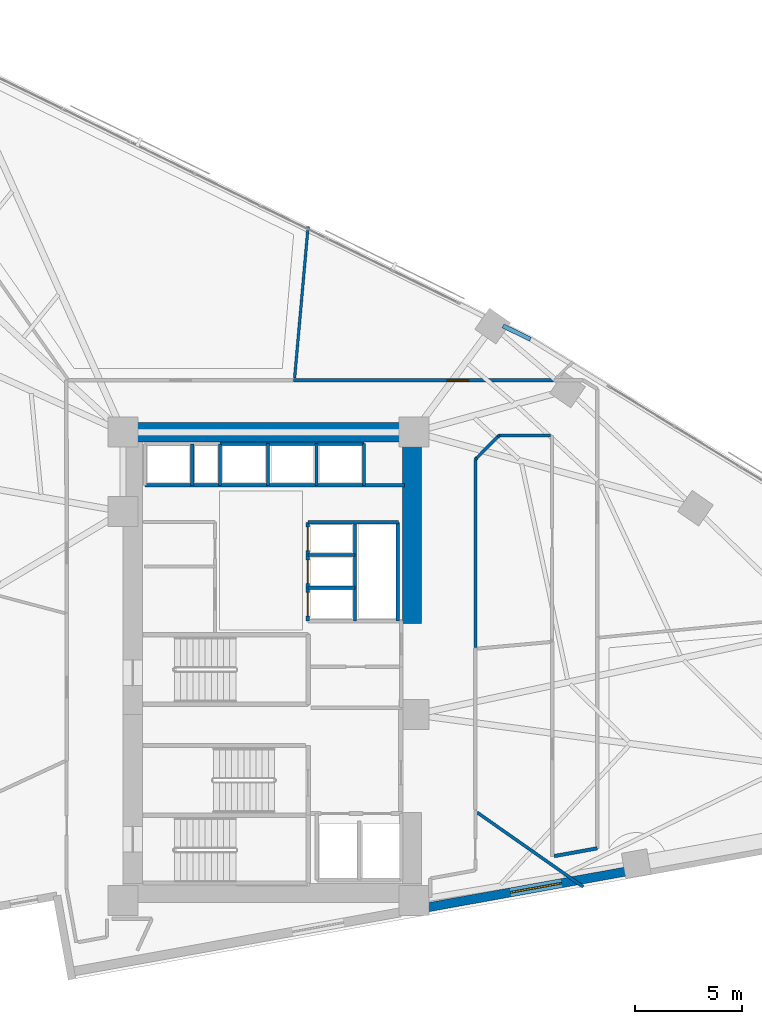
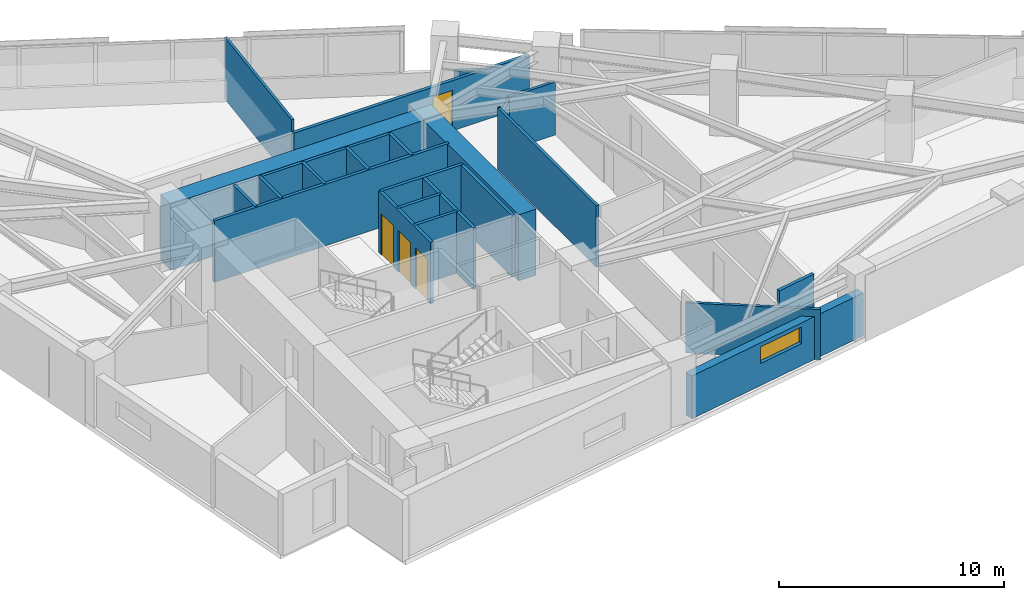
# One storey, part 14 of 18: 26 walls, 4 doors, 1 window, 5 openings.
"""IFC4 building model written with IfcOpenShell, lengths in metres."""

from ifc_helpers import new_model, si_unit, direction, frame, frame_2d, origin, place, context, subcontext, project, spatial, rectangle, extrude, material, layer, layer_set, type_object, element, fill, save


model = new_model("IFC4")

# Units and contexts
model_context = context("Model", 3, precision=1e-05, world=origin(), true_north=direction((0.0, 1.0)))
body_context = subcontext(model_context, "Body", "Model", "MODEL_VIEW")
ifc_project = project(units=[si_unit("LENGTHUNIT", "METRE"), si_unit("AREAUNIT", "SQUARE_METRE"), si_unit("VOLUMEUNIT", "CUBIC_METRE"), si_unit("PLANEANGLEUNIT", "RADIAN"), si_unit("MASSUNIT", "GRAM", prefix="KILO")], contexts=[model_context])

# Site, building, storey
site_placement = place(None, origin())
site = spatial("IfcSite", under=ifc_project, at=site_placement, CompositionType="ELEMENT")
building_placement = place(site_placement, origin())
building = spatial("IfcBuilding", under=site, at=building_placement, Name="Narakoshi Arena Tower", CompositionType="ELEMENT")
storey_placement = place(building_placement, frame((0.0, 0.0, 102.89990234375)))
storey = spatial("IfcBuildingStorey", under=building, at=storey_placement, Name="L27", CompositionType="ELEMENT", Elevation=102.89990234375)

# Walls
ifc_material_1 = material(Name="Concrete C60/75", Category="concrete")
ifc_layer_1 = layer(ifc_material_1, 0.89990234375)
ifc_layer_set_1 = layer_set([ifc_layer_1], Name="Concrete C60/75")
wall_type_1 = type_object("IfcWallType", Name="WL-CORE-900", PredefinedType="SHEAR", material=ifc_layer_set_1)
wall_1_placement = place(storey_placement, frame((72.0, 56.5, -0.260009765625), z_axis=(0.0, 0.0, 1.0), x_axis=(1.0, 0.0, 0.0)))
element("IfcWall", 1, at=wall_1_placement, inside=storey, type_object=wall_type_1, Name="L27 Main Core Shear Wall CW-MN-N", PredefinedType="SHEAR", context=body_context, shape_type="SweptSolid", body=[
    extrude(rectangle(XDim=13.89990234375, YDim=0.89990234375, at=frame_2d((6.949951171875, 0.0))), origin(), (0.0, 0.0, 1.0), 3.60009765625),
])
wall_2_placement = place(storey_placement, frame((85.449951171875, 47.60009765625, -0.260009765625), z_axis=(0.0, 0.0, 1.0), x_axis=(0.0, 1.0, 0.0)))
element("IfcWall", 2, at=wall_2_placement, inside=storey, type_object=wall_type_1, Name="L27 Main Core Shear Wall CW-MN-E", PredefinedType="SHEAR", context=body_context, shape_type="SweptSolid", body=[
    extrude(rectangle(XDim=8.449951171875, YDim=0.89990234375, at=frame_2d((4.22509765625, 0.0))), origin(), (0.0, 0.0, 1.0), 3.60009765625),
])
ifc_material_2 = material(Name="Gypsum plasterboard fire-rated partition")
ifc_layer_2 = layer(ifc_material_2, 0.1650390625)
ifc_layer_set_2 = layer_set([ifc_layer_2], Name="Gypsum plasterboard fire-rated partition")
wall_type_2 = type_object("IfcWallType", Name="WL-CORR-165", PredefinedType="PARTITIONING", material=ifc_layer_set_2)
wall_3_placement = place(storey_placement, frame((92.068115234375, 36.767333984375, 0.0), z_axis=(0.0, 0.0, 1.0), x_axis=(0.984030502169, 0.177999917982, 0.0)))
element("IfcWall", 3, at=wall_3_placement, inside=storey, type_object=wall_type_2, Name="L27 Corridor Partition 04-4", PredefinedType="PARTITIONING", context=body_context, shape_type="SweptSolid", body=[
    extrude(rectangle(XDim=2.0380859375, YDim=0.1650390625, at=frame_2d((1.01904296875, 0.0))), origin(), (0.0, 0.0, 1.0), 3.340087890625),
])

# Wall, opening, door
wall_4_placement = place(storey_placement, frame((92.032470703125, 58.9189453125, 0.0), z_axis=(0.0, 0.0, 1.0), x_axis=(-1.0, 0.0, 0.0)))
wall_4 = element("IfcWall", 4, at=wall_4_placement, inside=storey, type_object=wall_type_2, Name="L27 Corridor Partition 07-1", PredefinedType="PARTITIONING", context=body_context, shape_type="SweptSolid", body=[
    extrude(rectangle(XDim=12.09033203125, YDim=0.1650390625, at=frame_2d((6.045166015625, 0.0))), origin(), (0.0, 0.0, 1.0), 2.72509765625),
])
opening_1_placement = place(wall_4_placement, frame((3.941650390625, 0.0, 0.0)))
opening_1 = element("IfcOpeningElement", 5, at=opening_1_placement, cuts=wall_4, Name="Opening D-06", PredefinedType="OPENING", context=body_context, shape_type="SweptSolid", body=[
    extrude(rectangle(XDim=1.0, YDim=2.199951171875, at=frame_2d((0.5, 1.10009765625))), frame((0.0, 0.092529296875, 0.0), z_axis=(0.0, -1.0, 0.0), x_axis=(1.0, 0.0, 0.0)), (0.0, 0.0, 1.0), 0.18505859375),
])
ifc_material_3 = material(Name="Stained oak solid-core timber", Category="wood")
door_type_1 = type_object("IfcDoorType", Name="DR-OFF-1000", OperationType="NOTDEFINED", PredefinedType="DOOR", material=ifc_material_3)
door_1_placement = place(opening_1_placement, frame((1.0, 0.0, 0.0), z_axis=(0.0, 0.0, 1.0), x_axis=(-1.0, 0.0, 0.0)))
door_1 = element("IfcDoor", 6, at=door_1_placement, inside=storey, type_object=door_type_1, Name="DR-L27-021", OperationType="SINGLE_SWING_LEFT", OverallHeight=2.199951171875, OverallWidth=1.0, PredefinedType="DOOR", context=body_context, shape_type="SweptSolid", body=[
    extrude(rectangle(XDim=1.0, YDim=2.199951171875, at=frame_2d((0.5, 1.10009765625))), frame((0.0, 0.02490234375, 0.0), z_axis=(0.0, -1.0, 0.0), x_axis=(1.0, 0.0, 0.0)), (0.0, 0.0, 1.0), 0.050048828125),
])
fill(opening_1, door_1)

# Walls
ifc_material_4 = material(Name="Precast concrete C45/55", Category="concrete")
ifc_layer_3 = layer(ifc_material_4, 0.25)
ifc_layer_set_3 = layer_set([ifc_layer_3], Name="Precast concrete C45/55")
wall_type_3 = type_object("IfcWallType", Name="WL-PARA-250", PredefinedType="PARAPET", material=ifc_layer_set_3)
wall_5_placement = place(storey_placement, frame((90.96435546875, 60.821533203125, 0.0), z_axis=(0.0, 0.0, 1.0), x_axis=(-0.898000468284, 0.439994498787, 0.0)))
element("IfcWall", 7, at=wall_5_placement, inside=storey, type_object=wall_type_3, Name="L27 Hypotenuse Sill Upstand Parapet 2-01", PredefinedType="PARAPET", context=body_context, shape_type="SweptSolid", body=[
    extrude(rectangle(XDim=1.42333984375, YDim=0.199951171875, at=frame_2d((0.711669921875, 0.0))), origin(), (0.0, 0.0, 1.0), 1.150146484375),
])
ifc_layer_4 = layer(ifc_material_2, 0.125)
ifc_layer_set_4 = layer_set([ifc_layer_4], Name="Gypsum plasterboard fire-rated partition")
wall_type_4 = type_object("IfcWallType", Name="WL-PART-125", PredefinedType="PARTITIONING", material=ifc_layer_set_4)
wall_6_placement = place(storey_placement, frame((79.98681640625, 59.013427734375, 0.0), z_axis=(0.0, 0.0, 1.0), x_axis=(0.08855346487, 0.996071425079, 0.0)))
element("IfcWall", 8, at=wall_6_placement, inside=storey, type_object=wall_type_4, Name="L27 Inter-Room Partition 07-08", PredefinedType="PARTITIONING", context=body_context, shape_type="SweptSolid", body=[
    extrude(rectangle(XDim=7.08544921875, YDim=0.125, at=frame_2d((3.542724609375, 0.0))), origin(), (0.0, 0.0, 1.0), 3.340087890625),
])

# Wall, opening, window
ifc_layer_5 = layer(ifc_material_4, 0.419921875)
ifc_layer_set_5 = layer_set([ifc_layer_5], Name="Precast concrete C45/55")
wall_type_5 = type_object("IfcWallType", Name="WL-POD-420", PredefinedType="SOLIDWALL", material=ifc_layer_set_5)
wall_7_placement = place(storey_placement, frame((86.10009765625, 34.3671875, 0.0), z_axis=(0.0, 0.0, 1.0), x_axis=(0.9840437071, 0.177926902172, 0.0)))
wall_7 = element("IfcWall", 9, at=wall_7_placement, inside=storey, type_object=wall_type_5, Name="L27 Architectural Concrete Facade Wall LEGA-2", PredefinedType="SOLIDWALL", context=body_context, shape_type="SweptSolid", body=[
    extrude(rectangle(XDim=9.997314453125, YDim=0.419921875, at=frame_2d((4.99853515625, 0.0))), origin(), (0.0, 0.0, 1.0), 2.3251953125),
])
opening_2_placement = place(wall_7_placement, frame((4.002197265625, 0.0, 1.199951171875)))
opening_2 = element("IfcOpeningElement", 10, at=opening_2_placement, cuts=wall_7, Name="Opening WN-01", PredefinedType="OPENING", context=body_context, shape_type="SweptSolid", body=[
    extrude(rectangle(XDim=2.39990234375, YDim=0.89990234375, at=frame_2d((1.199951171875, 0.449951171875))), frame((0.0, 0.219970703125, 0.0), z_axis=(0.0, -1.0, 0.0), x_axis=(1.0, 0.0, 0.0)), (0.0, 0.0, 1.0), 0.43994140625),
])
ifc_material_5 = material(Name="Bronze-tinted low-E laminated glass", Category="glass")
window_type = type_object("IfcWindowType", Name="WIN-SLT-24x09", PartitioningType="SINGLE_PANEL", PredefinedType="WINDOW", material=ifc_material_5)
window_placement = place(opening_2_placement, origin())
window = element("IfcWindow", 11, at=window_placement, inside=storey, type_object=window_type, Name="L27 LEGA2 Horizontal Slot Window 1", OverallHeight=0.89990234375, OverallWidth=2.39990234375, PartitioningType="SINGLE_PANEL", PredefinedType="WINDOW", context=body_context, shape_type="SweptSolid", body=[
    extrude(rectangle(XDim=2.39990234375, YDim=0.89990234375, at=frame_2d((1.199951171875, 0.449951171875))), frame((0.0, 0.030029296875, 0.0), z_axis=(0.0, -1.0, 0.0), x_axis=(1.0, 0.0, 0.0)), (0.0, 0.0, 1.0), 0.06005859375),
])
fill(opening_2, window)

# Walls
ifc_material_6 = material(Name="Concrete C40/50", Category="concrete")
ifc_layer_6 = layer(ifc_material_6, 0.280029296875)
ifc_layer_set_6 = layer_set([ifc_layer_6], Name="Concrete C40/50")
wall_type_6 = type_object("IfcWallType", Name="WL-RISER-280", PredefinedType="PLUMBINGWALL", material=ifc_layer_set_6)
for number, where, z_axis, x_axis, name in (
    (12, (80.60009765625, 49.260009765625, 0.0), (0.0, 0.0, 1.0), (1.0, 0.0, 0.0), "L27 Core Wall MR-D1"),
    (13, (80.60009765625, 50.780029296875, 0.0), (0.0, 0.0, 1.0), (1.0, 0.0, 0.0), "L27 Core Wall MR-D2"),
):
    element("IfcWall", number, at=place(storey_placement, frame(where, z_axis=z_axis, x_axis=x_axis)), inside=storey, type_object=wall_type_6, Name=name, PredefinedType="PLUMBINGWALL", context=body_context, shape_type="SweptSolid", body=[
        extrude(rectangle(XDim=2.199951171875, YDim=0.14990234375, at=frame_2d((1.10009765625, 0.0))), origin(), (0.0, 0.0, 1.0), 3.340087890625),
    ])
wall_8_placement = place(storey_placement, frame((82.800048828125, 47.699951171875, 0.0), z_axis=(0.0, 0.0, 1.0), x_axis=(0.0, 1.0, 0.0)))
element("IfcWall", 14, at=wall_8_placement, inside=storey, type_object=wall_type_6, Name="L27 Core Wall MR-E", PredefinedType="PLUMBINGWALL", context=body_context, shape_type="SweptSolid", body=[
    extrude(rectangle(XDim=4.60009765625, YDim=0.14990234375, at=frame_2d((2.300048828125, 0.0))), origin(), (0.0, 0.0, 1.0), 3.340087890625),
])
wall_9_placement = place(storey_placement, frame((75.219970703125, 54.02001953125, 0.0), z_axis=(0.0, 0.0, 1.0), x_axis=(0.0, 1.0, 0.0)))
element("IfcWall", 15, at=wall_9_placement, inside=storey, type_object=wall_type_6, Name="L27 Core Wall OBS-M", PredefinedType="PLUMBINGWALL", context=body_context, shape_type="SweptSolid", body=[
    extrude(rectangle(XDim=1.93994140625, YDim=0.14990234375, at=frame_2d((0.969970703125, 0.0))), origin(), (0.0, 0.0, 1.0), 3.340087890625),
])
for number, where, z_axis, x_axis, name in (
    (16, (78.75, 54.02001953125, 0.0), (0.0, 0.0, 1.0), (0.0, 1.0, 0.0), "L27 Core Wall HR-D1"),
    (17, (81.0, 54.02001953125, 0.0), (0.0, 0.0, 1.0), (0.0, 1.0, 0.0), "L27 Core Wall HR-D2"),
):
    element("IfcWall", number, at=place(storey_placement, frame(where, z_axis=z_axis, x_axis=x_axis)), inside=storey, type_object=wall_type_6, Name=name, PredefinedType="PLUMBINGWALL", context=body_context, shape_type="SweptSolid", body=[
        extrude(rectangle(XDim=1.9599609375, YDim=0.14990234375, at=frame_2d((0.97998046875, 0.0))), origin(), (0.0, 0.0, 1.0), 3.340087890625),
    ])

# Wall, openings, doors
ifc_material_7 = material(Name="Concrete C50/60", Category="concrete")
ifc_layer_7 = layer(ifc_material_7, 0.35009765625)
ifc_layer_set_7 = layer_set([ifc_layer_7], Name="Concrete C50/60")
wall_type_7 = type_object("IfcWallType", Name="WL-SHAFT-350", PredefinedType="SOLIDWALL", material=ifc_layer_set_7)
wall_10_placement = place(storey_placement, frame((80.60009765625, 47.699951171875, 0.0), z_axis=(0.0, 0.0, 1.0), x_axis=(0.0, 1.0, 0.0)))
wall_10 = element("IfcWall", 18, at=wall_10_placement, inside=storey, type_object=wall_type_7, Name="L27 Core Wall MR-W", PredefinedType="SOLIDWALL", context=body_context, shape_type="SweptSolid", body=[
    extrude(rectangle(XDim=4.60009765625, YDim=0.159912109375, at=frame_2d((2.300048828125, 0.0))), origin(), (0.0, 0.0, 1.0), 3.340087890625),
])
opening_3_placement = place(wall_10_placement, frame((0.239990234375, 0.0, 0.0)))
opening_3 = element("IfcOpeningElement", 19, at=opening_3_placement, cuts=wall_10, Name="Opening LD-01", PredefinedType="OPENING", context=body_context, shape_type="SweptSolid", body=[
    extrude(rectangle(XDim=1.10009765625, YDim=2.25, at=frame_2d((0.550048828125, 1.125))), frame((0.0, 0.08984375, 0.0), z_axis=(0.0, -1.0, 0.0), x_axis=(1.0, 0.0, 0.0)), (0.0, 0.0, 1.0), 0.179931640625),
])
opening_4_placement = place(wall_10_placement, frame((1.760009765625, 0.0, 0.0)))
opening_4 = element("IfcOpeningElement", 20, at=opening_4_placement, cuts=wall_10, Name="Opening LD-01", PredefinedType="OPENING", context=body_context, shape_type="SweptSolid", body=[
    extrude(rectangle(XDim=1.10009765625, YDim=2.25, at=frame_2d((0.550048828125, 1.125))), frame((0.0, 0.08984375, 0.0), z_axis=(0.0, -1.0, 0.0), x_axis=(1.0, 0.0, 0.0)), (0.0, 0.0, 1.0), 0.179931640625),
])
opening_5_placement = place(wall_10_placement, frame((3.280029296875, 0.0, 0.0)))
opening_5 = element("IfcOpeningElement", 21, at=opening_5_placement, cuts=wall_10, Name="Opening LD-01", PredefinedType="OPENING", context=body_context, shape_type="SweptSolid", body=[
    extrude(rectangle(XDim=1.10009765625, YDim=2.25, at=frame_2d((0.550048828125, 1.125))), frame((0.0, 0.08984375, 0.0), z_axis=(0.0, -1.0, 0.0), x_axis=(1.0, 0.0, 0.0)), (0.0, 0.0, 1.0), 0.179931640625),
])
ifc_material_8 = material(Name="Brushed bronze stainless steel", Category="steel")
door_type_2 = type_object("IfcDoorType", Name="DR-LFT-1100", OperationType="DOUBLE_DOOR_SLIDING", PredefinedType="DOOR", material=ifc_material_8)
door_2_placement = place(opening_3_placement, frame((1.10009765625, 0.0, 0.0), z_axis=(0.0, 0.0, 1.0), x_axis=(-1.0, 0.0, 0.0)))
door_2 = element("IfcDoor", 22, at=door_2_placement, inside=storey, type_object=door_type_2, Name="DR-L27-012", OperationType="DOUBLE_DOOR_SLIDING", OverallHeight=2.25, OverallWidth=1.10009765625, PredefinedType="DOOR", context=body_context, shape_type="SweptSolid", body=[
    extrude(rectangle(XDim=1.10009765625, YDim=2.25, at=frame_2d((0.550048828125, 1.125))), frame((0.0, 0.02490234375, 0.0), z_axis=(0.0, -1.0, 0.0), x_axis=(1.0, 0.0, 0.0)), (0.0, 0.0, 1.0), 0.050048828125),
])
fill(opening_3, door_2)
door_3_placement = place(opening_4_placement, frame((1.10009765625, 0.0, 0.0), z_axis=(0.0, 0.0, 1.0), x_axis=(-1.0, 0.0, 0.0)))
door_3 = element("IfcDoor", 23, at=door_3_placement, inside=storey, type_object=door_type_2, Name="DR-L27-013", OperationType="DOUBLE_DOOR_SLIDING", OverallHeight=2.25, OverallWidth=1.10009765625, PredefinedType="DOOR", context=body_context, shape_type="SweptSolid", body=[
    extrude(rectangle(XDim=1.10009765625, YDim=2.25, at=frame_2d((0.550048828125, 1.125))), frame((0.0, 0.02490234375, 0.0), z_axis=(0.0, -1.0, 0.0), x_axis=(1.0, 0.0, 0.0)), (0.0, 0.0, 1.0), 0.050048828125),
])
fill(opening_4, door_3)
door_4_placement = place(opening_5_placement, frame((1.10009765625, 0.0, 0.0), z_axis=(0.0, 0.0, 1.0), x_axis=(-1.0, 0.0, 0.0)))
door_4 = element("IfcDoor", 24, at=door_4_placement, inside=storey, type_object=door_type_2, Name="DR-L27-014", OperationType="DOUBLE_DOOR_SLIDING", OverallHeight=2.25, OverallWidth=1.10009765625, PredefinedType="DOOR", context=body_context, shape_type="SweptSolid", body=[
    extrude(rectangle(XDim=1.10009765625, YDim=2.25, at=frame_2d((0.550048828125, 1.125))), frame((0.0, 0.02490234375, 0.0), z_axis=(0.0, -1.0, 0.0), x_axis=(1.0, 0.0, 0.0)), (0.0, 0.0, 1.0), 0.050048828125),
])
fill(opening_5, door_4)

# Walls
wall_11_placement = place(storey_placement, frame((80.60009765625, 52.300048828125, 0.0), z_axis=(0.0, 0.0, 1.0), x_axis=(1.0, 0.0, 0.0)))
element("IfcWall", 25, at=wall_11_placement, inside=storey, type_object=wall_type_7, Name="L27 Core Wall MR-N", PredefinedType="SOLIDWALL", context=body_context, shape_type="SweptSolid", body=[
    extrude(rectangle(XDim=4.219970703125, YDim=0.159912109375, at=frame_2d((2.10986328125, 0.0))), origin(), (0.0, 0.0, 1.0), 3.340087890625),
])
wall_12_placement = place(storey_placement, frame((84.780029296875, 47.699951171875, 0.0), z_axis=(0.0, 0.0, 1.0), x_axis=(0.0, 1.0, 0.0)))
element("IfcWall", 26, at=wall_12_placement, inside=storey, type_object=wall_type_7, Name="L27 Core Wall MR-E2", PredefinedType="SOLIDWALL", context=body_context, shape_type="SweptSolid", body=[
    extrude(rectangle(XDim=4.60009765625, YDim=0.159912109375, at=frame_2d((2.300048828125, 0.0))), origin(), (0.0, 0.0, 1.0), 3.340087890625),
])
wall_13_placement = place(storey_placement, frame((73.02001953125, 54.02001953125, 0.0), z_axis=(0.0, 0.0, 1.0), x_axis=(1.0, 0.0, 0.0)))
element("IfcWall", 27, at=wall_13_placement, inside=storey, type_object=wall_type_7, Name="L27 Core Wall NSHF-S", PredefinedType="SOLIDWALL", context=body_context, shape_type="SweptSolid", body=[
    extrude(rectangle(XDim=12.080078125, YDim=0.159912109375, at=frame_2d((6.0400390625, 0.0))), origin(), (0.0, 0.0, 1.0), 3.340087890625),
])
wall_14_placement = place(storey_placement, frame((76.52001953125, 54.02001953125, 0.0), z_axis=(0.0, 0.0, 1.0), x_axis=(0.0, 1.0, 0.0)))
element("IfcWall", 28, at=wall_14_placement, inside=storey, type_object=wall_type_7, Name="L27 Core Wall OBS-E", PredefinedType="SOLIDWALL", context=body_context, shape_type="SweptSolid", body=[
    extrude(rectangle(XDim=1.93994140625, YDim=0.14990234375, at=frame_2d((0.969970703125, 0.0))), origin(), (0.0, 0.0, 1.0), 3.340087890625),
])
wall_15_placement = place(storey_placement, frame((83.219970703125, 54.02001953125, 0.0), z_axis=(0.0, 0.0, 1.0), x_axis=(0.0, 1.0, 0.0)))
element("IfcWall", 29, at=wall_15_placement, inside=storey, type_object=wall_type_7, Name="L27 Core Wall HR-E", PredefinedType="SOLIDWALL", context=body_context, shape_type="SweptSolid", body=[
    extrude(rectangle(XDim=1.9599609375, YDim=0.14990234375, at=frame_2d((0.97998046875, 0.0))), origin(), (0.0, 0.0, 1.0), 3.340087890625),
])
wall_16_placement = place(storey_placement, frame((76.52001953125, 55.9599609375, 0.0), z_axis=(0.0, 0.0, 1.0), x_axis=(1.0, 0.0, 0.0)))
element("IfcWall", 30, at=wall_16_placement, inside=storey, type_object=wall_type_7, Name="L27 Core Wall HR-N", PredefinedType="SOLIDWALL", context=body_context, shape_type="SweptSolid", body=[
    extrude(rectangle(XDim=6.699951171875, YDim=0.14990234375, at=frame_2d((3.35009765625, 0.0))), origin(), (0.0, 0.0, 1.0), 3.340087890625),
])
ifc_material_9 = material(Name="Moisture-resistant cement-board partition")
ifc_layer_8 = layer(ifc_material_9, 0.14501953125)
ifc_layer_set_8 = layer_set([ifc_layer_8], Name="Moisture-resistant cement-board partition")
wall_type_8 = type_object("IfcWallType", Name="WL-WET-145", PredefinedType="PARTITIONING", material=ifc_layer_set_8)
wall_17_placement = place(storey_placement, frame((88.484619140625, 38.797607421875, 0.0), z_axis=(0.0, 0.0, 1.0), x_axis=(0.818731336664, -0.574176800615, 0.0)))
element("IfcWall", 31, at=wall_17_placement, inside=storey, type_object=wall_type_8, Name="L27 Inter-Room Partition 03-04", PredefinedType="PARTITIONING", context=body_context, shape_type="SweptSolid", body=[
    extrude(rectangle(XDim=6.02978515625, YDim=0.14501953125, at=frame_2d((3.014892578125, 0.0))), origin(), (0.0, 0.0, 1.0), 2.72509765625),
])
wall_18_placement = place(storey_placement, frame((88.39990234375, 46.477294921875, 0.0), z_axis=(0.0, 0.0, 1.0), x_axis=(0.0, 1.0, 0.0)))
element("IfcWall", 32, at=wall_18_placement, inside=storey, type_object=wall_type_8, Name="L27 Corridor Partition 06-2", PredefinedType="PARTITIONING", context=body_context, shape_type="SweptSolid", body=[
    extrude(rectangle(XDim=8.756103515625, YDim=0.14501953125, at=frame_2d((4.3779296875, 0.0))), origin(), (0.0, 0.0, 1.0), 3.340087890625),
])
wall_19_placement = place(storey_placement, frame((89.5107421875, 56.35009765625, 0.0), z_axis=(0.0, 0.0, 1.0), x_axis=(1.0, 0.0, 0.0)))
element("IfcWall", 33, at=wall_19_placement, inside=storey, type_object=wall_type_8, Name="L27 Corridor Partition 06-3", PredefinedType="PARTITIONING", context=body_context, shape_type="SweptSolid", body=[
    extrude(rectangle(XDim=2.37841796875, YDim=0.14501953125, at=frame_2d((1.189208984375, 0.0))), origin(), (0.0, 0.0, 1.0), 2.875),
])
wall_20_placement = place(storey_placement, frame((88.39990234375, 55.2333984375, 0.0), z_axis=(0.0, 0.0, 1.0), x_axis=(0.705671035809, 0.708539617255, 0.0)))
element("IfcWall", 34, at=wall_20_placement, inside=storey, type_object=wall_type_8, Name="L27 Corridor Partition 06-4", PredefinedType="PARTITIONING", context=body_context, shape_type="SweptSolid", body=[
    extrude(rectangle(XDim=0.085205078125, YDim=0.14501953125, at=frame_2d((0.04248046875, 0.0))), origin(), (0.0, 0.0, 1.0), 3.340087890625),
])
wall_21_placement = place(storey_placement, frame((89.451171875, 56.2900390625, 0.0), z_axis=(0.0, 0.0, 1.0), x_axis=(0.704214765071, 0.709987017244, 0.0)))
element("IfcWall", 35, at=wall_21_placement, inside=storey, type_object=wall_type_8, Name="L27 Corridor Partition 06-5", PredefinedType="PARTITIONING", context=body_context, shape_type="SweptSolid", body=[
    extrude(rectangle(XDim=0.08447265625, YDim=0.14501953125, at=frame_2d((0.042236328125, 0.0))), origin(), (0.0, 0.0, 1.0), 2.875),
])
wall_22_placement = place(storey_placement, frame((88.4599609375, 55.293701171875, 0.0), z_axis=(0.0, 0.0, 1.0), x_axis=(0.705280427547, 0.708928429758, 0.0)))
element("IfcWall", 36, at=wall_22_placement, inside=storey, type_object=wall_type_8, Name="L27 Room Enclosure Partition 06-1", PredefinedType="PARTITIONING", context=body_context, shape_type="SweptSolid", body=[
    extrude(rectangle(XDim=1.405517578125, YDim=0.14501953125, at=frame_2d((0.70263671875, 0.0))), origin(), (0.0, 0.0, 1.0), 2.72509765625),
])

save(model, "model.ifc")
